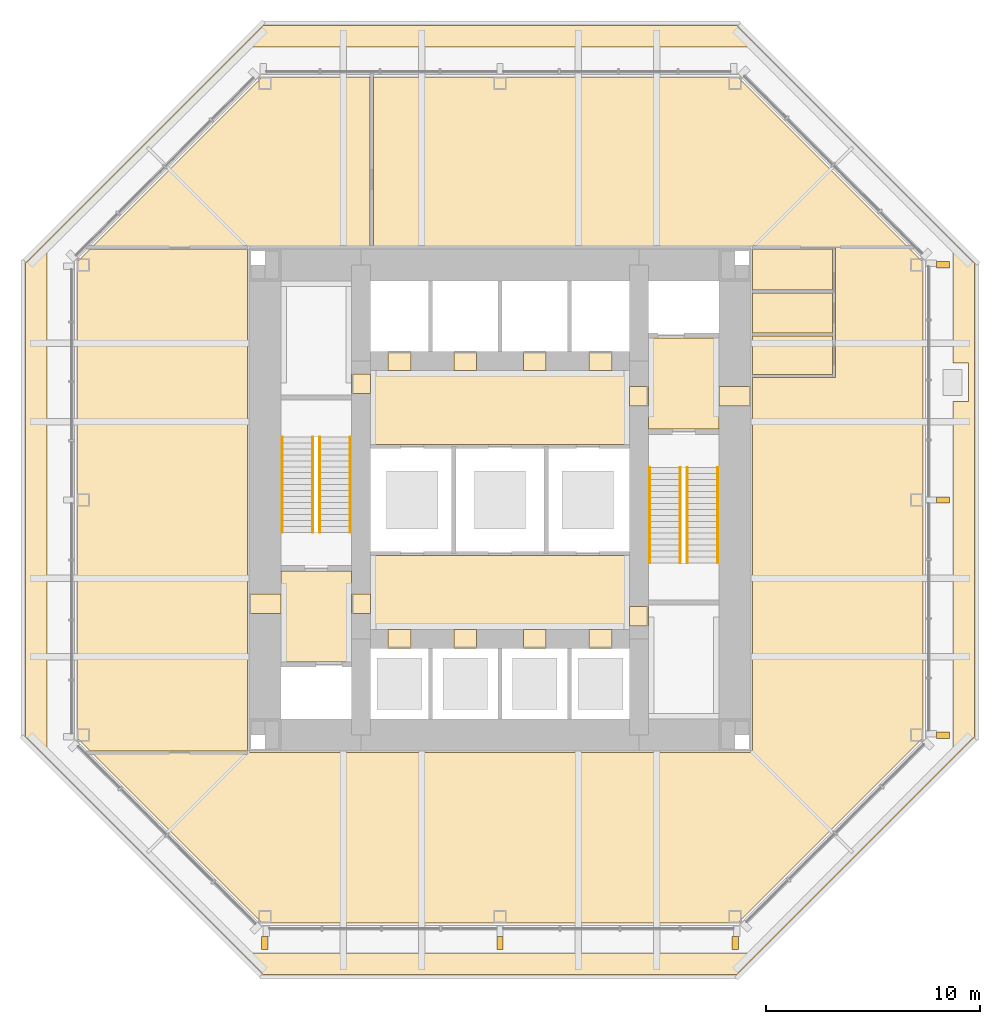
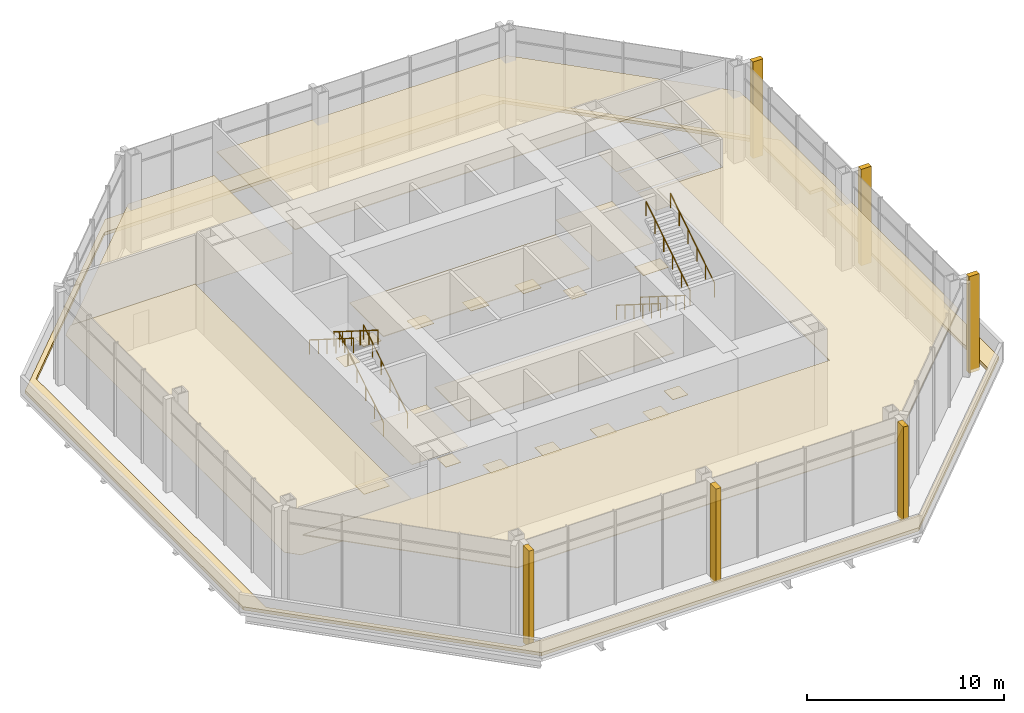
# One storey, part 9 of 10: 32 coverings, 8 railings.
"""IFC4 building model written with IfcOpenShell, lengths in metres."""

from ifc_helpers import new_model, si_unit, direction, frame, origin, origin_2d, place, context, subcontext, project, spatial, polyline, rectangle, circle, outline, extrude, material, layer, layer_set, type_object, element, save


model = new_model("IFC4")

# Units and contexts
model_context = context("Model", 3, precision=1e-05, world=origin(), true_north=direction((0.0, 1.0)))
body_context = subcontext(model_context, "Body", "Model", "MODEL_VIEW")
ifc_project = project(units=[si_unit("LENGTHUNIT", "METRE"), si_unit("AREAUNIT", "SQUARE_METRE"), si_unit("VOLUMEUNIT", "CUBIC_METRE"), si_unit("PLANEANGLEUNIT", "RADIAN"), si_unit("MASSUNIT", "GRAM", prefix="KILO")], contexts=[model_context])

# Site, building, storey
site_placement = place(None, origin())
site = spatial("IfcSite", under=ifc_project, at=site_placement, CompositionType="ELEMENT")
building_placement = place(site_placement, origin())
building = spatial("IfcBuilding", under=site, at=building_placement, Name="Trevanion Tower", CompositionType="ELEMENT")
storey_placement = place(building_placement, frame((0.0, 0.0, 184.699951171875)))
storey = spatial("IfcBuildingStorey", under=building, at=storey_placement, Name="L43", CompositionType="ELEMENT", Elevation=184.699951171875)

# Coverings
ifc_material_1 = material(Name="Fibrous plaster coffers on suspended steel grid", Category="steel")
ifc_layer_1 = layer(ifc_material_1, 0.050048828125)
ifc_layer_set_1 = layer_set([ifc_layer_1], Name="CL1 coffered fibrous plaster ceiling 50")
covering_type_1 = type_object("IfcCoveringType", Name="CL1 coffered fibrous plaster ceiling 50", PredefinedType="CEILING", material=ifc_layer_set_1)
covering_1_placement = place(storey_placement, frame((0.0, 0.0, 3.0)))
element("IfcCovering", 1, at=covering_1_placement, inside=storey, type_object=covering_type_1, Name="CL1 L43-LBN", PredefinedType="CEILING", context=body_context, shape_type="SweptSolid", body=[
    extrude(outline(polyline([(6.050048828125, 2.60009765625), (6.050048828125, 6.050048828125), (-6.050048828125, 6.050048828125), (-6.050048828125, 2.60009765625), (6.050048828125, 2.60009765625)])), origin(), (0.0, 0.0, 1.0), 0.050048828125),
])
covering_2_placement = place(storey_placement, frame((0.0, 0.0, 3.0)))
element("IfcCovering", 2, at=covering_2_placement, inside=storey, type_object=covering_type_1, Name="CL1 L43-LBS", PredefinedType="CEILING", context=body_context, shape_type="SweptSolid", body=[
    extrude(outline(polyline([(6.050048828125, -6.050048828125), (6.050048828125, -2.60009765625), (-6.050048828125, -2.60009765625), (-6.050048828125, -6.050048828125), (6.050048828125, -6.050048828125)])), origin(), (0.0, 0.0, 1.0), 0.050048828125),
])
covering_3_placement = place(storey_placement, frame((0.0, 0.0, 4.0)))
element("IfcCovering", 3, at=covering_3_placement, inside=storey, type_object=covering_type_1, Name="CL1 L43-SK", PredefinedType="CEILING", context=body_context, shape_type="SweptSolid", body=[
    extrude(outline(polyline([(11.824951171875, 5.72509765625), (15.699951171875, 5.72509765625), (15.699951171875, 11.824951171875), (19.099365234375, 11.824951171875), (19.800048828125, 11.124267578125), (19.800048828125, -11.124267578125), (11.124267578125, -19.800048828125), (-11.124267578125, -19.800048828125), (-19.099365234375, -11.824951171875), (11.824951171875, -11.824951171875), (11.824951171875, 5.72509765625)])), origin(), (0.0, 0.0, 1.0), 0.050048828125),
])
covering_4_placement = place(storey_placement, frame((0.0, 0.0, 4.0)))
element("IfcCovering", 4, at=covering_4_placement, inside=storey, type_object=covering_type_1, Name="CL1 L43-RS", PredefinedType="CEILING", context=body_context, shape_type="SweptSolid", body=[
    extrude(outline(polyline([(11.124267578125, 19.800048828125), (19.099365234375, 11.824951171875), (-5.925048828125, 11.824951171875), (-5.925048828125, 19.800048828125), (11.124267578125, 19.800048828125)])), origin(), (0.0, 0.0, 1.0), 0.050048828125),
])
ifc_material_2 = material(Name="Mineral fibre acoustic tiles in exposed grid", Category="mineral fibre")
ifc_layer_2 = layer(ifc_material_2, 0.02001953125)
ifc_layer_set_2 = layer_set([ifc_layer_2], Name="CL2 acoustic tile ceiling 20")
covering_type_2 = type_object("IfcCoveringType", Name="CL2 acoustic tile ceiling 20", PredefinedType="CEILING", material=ifc_layer_set_2)
covering_5_placement = place(storey_placement, frame((0.0, 0.0, 2.75)))
element("IfcCovering", 5, at=covering_5_placement, inside=storey, type_object=covering_type_2, Name="CL2 L43-HO", PredefinedType="CEILING", context=body_context, shape_type="SweptSolid", body=[
    extrude(outline(polyline([(-19.800048828125, -11.124267578125), (-19.800048828125, 11.124267578125), (-19.17431640625, 11.75), (-11.824951171875, 11.75), (-11.824951171875, -11.75), (-19.17431640625, -11.75), (-19.800048828125, -11.124267578125)])), origin(), (0.0, 0.0, 1.0), 0.02001953125),
])
ifc_material_3 = material(Name="Gypsum plasterboard on suspended metal furring", Category="gypsum")
ifc_layer_3 = layer(ifc_material_3, 0.012939453125)
ifc_layer_set_3 = layer_set([ifc_layer_3], Name="CL3 plasterboard ceiling 13")
covering_type_3 = type_object("IfcCoveringType", Name="CL3 plasterboard ceiling 13", PredefinedType="CEILING", material=ifc_layer_set_3)
covering_6_placement = place(storey_placement, frame((0.0, 0.0, 2.699951171875)))
element("IfcCovering", 6, at=covering_6_placement, inside=storey, type_object=covering_type_3, Name="CL3 L43-FV1", PredefinedType="CEILING", context=body_context, shape_type="SweptSolid", body=[
    extrude(outline(polyline([(10.25, 3.324951171875), (10.25, 7.574951171875), (6.949951171875, 7.574951171875), (6.949951171875, 3.324951171875), (10.25, 3.324951171875)])), origin(), (0.0, 0.0, 1.0), 0.01318359375),
])
covering_7_placement = place(storey_placement, frame((0.0, 0.0, 2.699951171875)))
element("IfcCovering", 7, at=covering_7_placement, inside=storey, type_object=covering_type_3, Name="CL3 L43-FV2", PredefinedType="CEILING", context=body_context, shape_type="SweptSolid", body=[
    extrude(outline(polyline([(-10.25, -3.324951171875), (-10.25, -7.574951171875), (-6.949951171875, -7.574951171875), (-6.949951171875, -3.324951171875), (-10.25, -3.324951171875)])), origin(), (0.0, 0.0, 1.0), 0.01318359375),
])
ifc_material_4 = material(Name="Moisture-resistant gypsum board on suspended metal furring", Category="gypsum")
ifc_layer_4 = layer(ifc_material_4, 0.01611328125)
ifc_layer_set_4 = layer_set([ifc_layer_4], Name="CL4 moisture-resistant board ceiling 16")
covering_type_4 = type_object("IfcCoveringType", Name="CL4 moisture-resistant board ceiling 16", PredefinedType="CEILING", material=ifc_layer_set_4)
covering_8_placement = place(storey_placement, frame((0.0, 0.0, 2.60009765625)))
element("IfcCovering", 8, at=covering_8_placement, inside=storey, type_object=covering_type_4, Name="CL4 L43-GTM", PredefinedType="CEILING", context=body_context, shape_type="SweptSolid", body=[
    extrude(outline(polyline([(15.550048828125, 5.875), (15.550048828125, 7.675048828125), (11.824951171875, 7.675048828125), (11.824951171875, 5.875), (15.550048828125, 5.875)])), origin(), (0.0, 0.0, 1.0), 0.015869140625),
])
covering_9_placement = place(storey_placement, frame((0.0, 0.0, 2.60009765625)))
element("IfcCovering", 9, at=covering_9_placement, inside=storey, type_object=covering_type_4, Name="CL4 L43-GTF", PredefinedType="CEILING", context=body_context, shape_type="SweptSolid", body=[
    extrude(outline(polyline([(15.550048828125, 7.824951171875), (15.550048828125, 9.675048828125), (11.824951171875, 9.675048828125), (11.824951171875, 7.824951171875), (15.550048828125, 7.824951171875)])), origin(), (0.0, 0.0, 1.0), 0.015869140625),
])
covering_10_placement = place(storey_placement, frame((0.0, 0.0, 2.60009765625)))
element("IfcCovering", 10, at=covering_10_placement, inside=storey, type_object=covering_type_4, Name="CL4 L43-GTA", PredefinedType="CEILING", context=body_context, shape_type="SweptSolid", body=[
    extrude(outline(polyline([(15.550048828125, 9.824951171875), (15.550048828125, 11.75), (11.824951171875, 11.75), (11.824951171875, 9.824951171875), (15.550048828125, 9.824951171875)])), origin(), (0.0, 0.0, 1.0), 0.015869140625),
])
covering_11_placement = place(storey_placement, frame((0.0, 0.0, 2.60009765625)))
element("IfcCovering", 11, at=covering_11_placement, inside=storey, type_object=covering_type_4, Name="CL4 L43-KT", PredefinedType="CEILING", context=body_context, shape_type="SweptSolid", body=[
    extrude(outline(polyline([(-6.074951171875, 19.800048828125), (-6.074951171875, 11.824951171875), (-19.099365234375, 11.824951171875), (-11.124267578125, 19.800048828125), (-6.074951171875, 19.800048828125)])), origin(), (0.0, 0.0, 1.0), 0.015869140625),
])
ifc_material_5 = material(Name="Cast bronze fin on aluminium carrier", Category="aluminium")
covering_type_5 = type_object("IfcCoveringType", Name="F1 bronze fin", PredefinedType="CLADDING", material=ifc_material_5)
for number, where, z_axis, x_axis, name in (
    (12, (20.72509765625, -11.0, -0.18994140625), (0.0, 0.0, 1.0), (0.0, 1.0, 0.0), "F1 L43 east -11.0"),
    (13, (20.72509765625, 0.0, -0.18994140625), (0.0, 0.0, 1.0), (0.0, 1.0, 0.0), "F1 L43 east +0.0"),
    (14, (20.72509765625, 11.0, -0.18994140625), (0.0, 0.0, 1.0), (0.0, 1.0, 0.0), "F1 L43 east +11.0"),
    (15, (-11.0, -20.72509765625, -0.18994140625), (0.0, 0.0, 1.0), (1.0, 0.0, 0.0), "F1 L43 south -11.0"),
    (16, (0.0, -20.72509765625, -0.18994140625), (0.0, 0.0, 1.0), (1.0, 0.0, 0.0), "F1 L43 south +0.0"),
    (17, (11.0, -20.72509765625, -0.18994140625), (0.0, 0.0, 1.0), (1.0, 0.0, 0.0), "F1 L43 south +11.0"),
):
    element("IfcCovering", number, at=place(storey_placement, frame(where, z_axis=z_axis, x_axis=x_axis)), inside=storey, type_object=covering_type_5, Name=name, PredefinedType="CLADDING", context=body_context, shape_type="SweptSolid", body=[
        extrude(rectangle(XDim=0.300048828125, YDim=0.60009765625, at=origin_2d()), origin(), (0.0, 0.0, 1.0), 6.0),
    ])
ifc_material_6 = material(Name="Terrazzo, brass divider strips", Category="stone")
ifc_layer_5 = layer(ifc_material_6, 0.02001953125)
ifc_layer_set_5 = layer_set([ifc_layer_5], Name="FF1 terrazzo flooring")
covering_type_6 = type_object("IfcCoveringType", Name="FF1 terrazzo flooring", PredefinedType="FLOORING", material=ifc_layer_set_5)
covering_12_placement = place(storey_placement, origin())
element("IfcCovering", 18, at=covering_12_placement, inside=storey, type_object=covering_type_6, Name="FF1 threshold 43-001", PredefinedType="FLOORING", context=body_context, shape_type="SweptSolid", body=[
    extrude(outline(polyline([(11.75, 4.392578125), (11.75, 5.3076171875), (10.25, 5.3076171875), (10.25, 4.392578125), (11.75, 4.392578125)])), origin(), (0.0, 0.0, 1.0), 0.02001953125),
])
covering_13_placement = place(storey_placement, origin())
element("IfcCovering", 19, at=covering_13_placement, inside=storey, type_object=covering_type_6, Name="FF1 threshold 43-002", PredefinedType="FLOORING", context=body_context, shape_type="SweptSolid", body=[
    extrude(outline(polyline([(-11.75, -4.392578125), (-11.75, -5.3076171875), (-10.25, -5.3076171875), (-10.25, -4.392578125), (-11.75, -4.392578125)])), origin(), (0.0, 0.0, 1.0), 0.02001953125),
])
covering_14_placement = place(storey_placement, origin())
element("IfcCovering", 20, at=covering_14_placement, inside=storey, type_object=covering_type_6, Name="FF1 threshold 43-003", PredefinedType="FLOORING", context=body_context, shape_type="SweptSolid", body=[
    extrude(outline(polyline([(6.949951171875, 4.392578125), (6.949951171875, 5.3076171875), (6.050048828125, 5.3076171875), (6.050048828125, 4.392578125), (6.949951171875, 4.392578125)])), origin(), (0.0, 0.0, 1.0), 0.02001953125),
])
covering_15_placement = place(storey_placement, origin())
element("IfcCovering", 21, at=covering_15_placement, inside=storey, type_object=covering_type_6, Name="FF1 threshold 43-004", PredefinedType="FLOORING", context=body_context, shape_type="SweptSolid", body=[
    extrude(outline(polyline([(-6.949951171875, -4.392578125), (-6.949951171875, -5.3076171875), (-6.050048828125, -5.3076171875), (-6.050048828125, -4.392578125), (-6.949951171875, -4.392578125)])), origin(), (0.0, 0.0, 1.0), 0.02001953125),
])
covering_16_placement = place(storey_placement, origin())
element("IfcCovering", 22, at=covering_16_placement, inside=storey, type_object=covering_type_6, Name="FF1 threshold 43-009", PredefinedType="FLOORING", context=body_context, shape_type="SweptSolid", body=[
    extrude(outline(polyline([(6.949951171875, -5.889892578125), (6.949951171875, -4.97509765625), (6.050048828125, -4.97509765625), (6.050048828125, -5.889892578125), (6.949951171875, -5.889892578125)])), origin(), (0.0, 0.0, 1.0), 0.02001953125),
])
covering_17_placement = place(storey_placement, origin())
element("IfcCovering", 23, at=covering_17_placement, inside=storey, type_object=covering_type_6, Name="FF1 threshold 43-010", PredefinedType="FLOORING", context=body_context, shape_type="SweptSolid", body=[
    extrude(outline(polyline([(-6.949951171875, 5.889892578125), (-6.949951171875, 4.97509765625), (-6.050048828125, 4.97509765625), (-6.050048828125, 5.889892578125), (-6.949951171875, 5.889892578125)])), origin(), (0.0, 0.0, 1.0), 0.02001953125),
])
covering_18_placement = place(storey_placement, origin())
element("IfcCovering", 24, at=covering_18_placement, inside=storey, type_object=covering_type_6, Name="FF1 threshold 43-011", PredefinedType="FLOORING", context=body_context, shape_type="SweptSolid", body=[
    extrude(outline(polyline([(-4.16650390625, 6.949951171875), (-5.2333984375, 6.949951171875), (-5.2333984375, 6.050048828125), (-4.16650390625, 6.050048828125), (-4.16650390625, 6.949951171875)])), origin(), (0.0, 0.0, 1.0), 0.02001953125),
])
covering_19_placement = place(storey_placement, origin())
element("IfcCovering", 25, at=covering_19_placement, inside=storey, type_object=covering_type_6, Name="FF1 threshold 43-012", PredefinedType="FLOORING", context=body_context, shape_type="SweptSolid", body=[
    extrude(outline(polyline([(-1.091552734375, 6.949951171875), (-2.158447265625, 6.949951171875), (-2.158447265625, 6.050048828125), (-1.091552734375, 6.050048828125), (-1.091552734375, 6.949951171875)])), origin(), (0.0, 0.0, 1.0), 0.02001953125),
])
covering_20_placement = place(storey_placement, origin())
element("IfcCovering", 26, at=covering_20_placement, inside=storey, type_object=covering_type_6, Name="FF1 threshold 43-013", PredefinedType="FLOORING", context=body_context, shape_type="SweptSolid", body=[
    extrude(outline(polyline([(2.158447265625, 6.949951171875), (1.091552734375, 6.949951171875), (1.091552734375, 6.050048828125), (2.158447265625, 6.050048828125), (2.158447265625, 6.949951171875)])), origin(), (0.0, 0.0, 1.0), 0.02001953125),
])
covering_21_placement = place(storey_placement, origin())
element("IfcCovering", 27, at=covering_21_placement, inside=storey, type_object=covering_type_6, Name="FF1 threshold 43-014", PredefinedType="FLOORING", context=body_context, shape_type="SweptSolid", body=[
    extrude(outline(polyline([(5.2333984375, 6.949951171875), (4.16650390625, 6.949951171875), (4.16650390625, 6.050048828125), (5.2333984375, 6.050048828125), (5.2333984375, 6.949951171875)])), origin(), (0.0, 0.0, 1.0), 0.02001953125),
])
covering_22_placement = place(storey_placement, origin())
element("IfcCovering", 28, at=covering_22_placement, inside=storey, type_object=covering_type_6, Name="FF1 threshold 43-015", PredefinedType="FLOORING", context=body_context, shape_type="SweptSolid", body=[
    extrude(outline(polyline([(-5.2333984375, -6.949951171875), (-4.16650390625, -6.949951171875), (-4.16650390625, -6.050048828125), (-5.2333984375, -6.050048828125), (-5.2333984375, -6.949951171875)])), origin(), (0.0, 0.0, 1.0), 0.02001953125),
])
covering_23_placement = place(storey_placement, origin())
element("IfcCovering", 29, at=covering_23_placement, inside=storey, type_object=covering_type_6, Name="FF1 threshold 43-016", PredefinedType="FLOORING", context=body_context, shape_type="SweptSolid", body=[
    extrude(outline(polyline([(-2.158447265625, -6.949951171875), (-1.091552734375, -6.949951171875), (-1.091552734375, -6.050048828125), (-2.158447265625, -6.050048828125), (-2.158447265625, -6.949951171875)])), origin(), (0.0, 0.0, 1.0), 0.02001953125),
])
covering_24_placement = place(storey_placement, origin())
element("IfcCovering", 30, at=covering_24_placement, inside=storey, type_object=covering_type_6, Name="FF1 threshold 43-017", PredefinedType="FLOORING", context=body_context, shape_type="SweptSolid", body=[
    extrude(outline(polyline([(1.091552734375, -6.949951171875), (2.158447265625, -6.949951171875), (2.158447265625, -6.050048828125), (1.091552734375, -6.050048828125), (1.091552734375, -6.949951171875)])), origin(), (0.0, 0.0, 1.0), 0.02001953125),
])
covering_25_placement = place(storey_placement, origin())
element("IfcCovering", 31, at=covering_25_placement, inside=storey, type_object=covering_type_6, Name="FF1 threshold 43-018", PredefinedType="FLOORING", context=body_context, shape_type="SweptSolid", body=[
    extrude(outline(polyline([(4.16650390625, -6.949951171875), (5.2333984375, -6.949951171875), (5.2333984375, -6.050048828125), (4.16650390625, -6.050048828125), (4.16650390625, -6.949951171875)])), origin(), (0.0, 0.0, 1.0), 0.02001953125),
])

# Railings
ifc_material_7 = material(Name="Stainless steel tube 40 mm", Category="steel")
railing_type = type_object("IfcRailingType", Name="HR1 handrail", PredefinedType="HANDRAIL", material=ifc_material_7)
for number, where, name in (
    (32, (7.010009765625, 1.52490234375, 0.176513671875), "HR1 ST1 L43 flight 1"),
    (33, (8.43994140625, 1.52490234375, 0.176513671875), "HR1 ST1 L43 flight 1"),
):
    element("IfcRailing", number, at=place(storey_placement, frame(where)), inside=storey, type_object=railing_type, Name=name, PredefinedType="HANDRAIL", context=body_context, shape_type="SweptSolid", body=[
        extrude(circle(Radius=0.02001953125, at=origin_2d()), frame((0.0, 0.0, 0.8798828125), z_axis=(0.0, -0.845997938375, 0.533186166611), x_axis=(1.0, 0.0, 0.0)), (0.0, 0.0, 1.0), 5.29541015625),
        extrude(circle(Radius=0.01513671875, at=origin_2d()), origin(), (0.0, 0.0, 1.0), 0.85986328125),
        extrude(circle(Radius=0.01513671875, at=origin_2d()), frame((0.0, -0.89599609375, 0.564697265625)), (0.0, 0.0, 1.0), 0.85986328125),
        extrude(circle(Radius=0.01513671875, at=origin_2d()), frame((0.0, -1.7919921875, 1.12939453125)), (0.0, 0.0, 1.0), 0.85986328125),
        extrude(circle(Radius=0.01513671875, at=origin_2d()), frame((0.0, -2.68798828125, 1.694091796875)), (0.0, 0.0, 1.0), 0.85986328125),
        extrude(circle(Radius=0.01513671875, at=origin_2d()), frame((0.0, -3.583984375, 2.2587890625)), (0.0, 0.0, 1.0), 0.85986328125),
        extrude(circle(Radius=0.01513671875, at=origin_2d()), frame((0.0, -4.47998046875, 2.823486328125)), (0.0, 0.0, 1.0), 0.85986328125),
    ])
for number, where, name in (
    (34, (8.760009765625, -2.955078125, 3.176513671875), "HR1 ST1 L43 flight 2"),
    (35, (10.18994140625, -2.955078125, 3.176513671875), "HR1 ST1 L43 flight 2"),
    (36, (-7.010009765625, -1.52490234375, 0.176513671875), "HR1 ST2 L43 flight 1"),
    (37, (-8.43994140625, -1.52490234375, 0.176513671875), "HR1 ST2 L43 flight 1"),
):
    element("IfcRailing", number, at=place(storey_placement, frame(where)), inside=storey, type_object=railing_type, Name=name, PredefinedType="HANDRAIL", context=body_context, shape_type="SweptSolid", body=[
        extrude(circle(Radius=0.02001953125, at=origin_2d()), frame((0.0, 0.0, 0.8798828125), z_axis=(0.0, 0.845997938375, 0.533186166611), x_axis=(-1.0, 0.0, 0.0)), (0.0, 0.0, 1.0), 5.29541015625),
        extrude(circle(Radius=0.01513671875, at=origin_2d()), origin(), (0.0, 0.0, 1.0), 0.85986328125),
        extrude(circle(Radius=0.01513671875, at=origin_2d()), frame((0.0, 0.89599609375, 0.564697265625)), (0.0, 0.0, 1.0), 0.85986328125),
        extrude(circle(Radius=0.01513671875, at=origin_2d()), frame((0.0, 1.7919921875, 1.12939453125)), (0.0, 0.0, 1.0), 0.85986328125),
        extrude(circle(Radius=0.01513671875, at=origin_2d()), frame((0.0, 2.68798828125, 1.694091796875)), (0.0, 0.0, 1.0), 0.85986328125),
        extrude(circle(Radius=0.01513671875, at=origin_2d()), frame((0.0, 3.583984375, 2.2587890625)), (0.0, 0.0, 1.0), 0.85986328125),
        extrude(circle(Radius=0.01513671875, at=origin_2d()), frame((0.0, 4.47998046875, 2.823486328125)), (0.0, 0.0, 1.0), 0.85986328125),
    ])
for number, where, name in (
    (38, (-8.760009765625, 2.955078125, 3.176513671875), "HR1 ST2 L43 flight 2"),
    (39, (-10.18994140625, 2.955078125, 3.176513671875), "HR1 ST2 L43 flight 2"),
):
    element("IfcRailing", number, at=place(storey_placement, frame(where)), inside=storey, type_object=railing_type, Name=name, PredefinedType="HANDRAIL", context=body_context, shape_type="SweptSolid", body=[
        extrude(circle(Radius=0.02001953125, at=origin_2d()), frame((0.0, 0.0, 0.8798828125), z_axis=(0.0, -0.845997938375, 0.533186166611), x_axis=(1.0, 0.0, 0.0)), (0.0, 0.0, 1.0), 5.29541015625),
        extrude(circle(Radius=0.01513671875, at=origin_2d()), origin(), (0.0, 0.0, 1.0), 0.85986328125),
        extrude(circle(Radius=0.01513671875, at=origin_2d()), frame((0.0, -0.89599609375, 0.564697265625)), (0.0, 0.0, 1.0), 0.85986328125),
        extrude(circle(Radius=0.01513671875, at=origin_2d()), frame((0.0, -1.7919921875, 1.12939453125)), (0.0, 0.0, 1.0), 0.85986328125),
        extrude(circle(Radius=0.01513671875, at=origin_2d()), frame((0.0, -2.68798828125, 1.694091796875)), (0.0, 0.0, 1.0), 0.85986328125),
        extrude(circle(Radius=0.01513671875, at=origin_2d()), frame((0.0, -3.583984375, 2.2587890625)), (0.0, 0.0, 1.0), 0.85986328125),
        extrude(circle(Radius=0.01513671875, at=origin_2d()), frame((0.0, -4.47998046875, 2.823486328125)), (0.0, 0.0, 1.0), 0.85986328125),
    ])

# Covering
ifc_material_8 = material(Name="Precast concrete pavers on pedestals over membrane and extruded polystyrene insulation", Category="concrete")
ifc_layer_6 = layer(ifc_material_8, 0.199951171875)
ifc_layer_set_6 = layer_set([ifc_layer_6], Name="RF2 paver-ballasted roofing 200")
covering_type_7 = type_object("IfcCoveringType", Name="RF2 paver-ballasted roofing 200", PredefinedType="ROOFING", material=ifc_layer_set_6)
covering_26_placement = place(storey_placement, origin())
element("IfcCovering", 40, at=covering_26_placement, inside=storey, type_object=covering_type_7, Name="RF2 L43 setback roof", PredefinedType="ROOFING", context=body_context, shape_type="SweptSolid", body=[
    extrude(outline(polyline([(-11.082763671875, -22.199951171875), (-22.199951171875, -11.082763671875), (-22.199951171875, 11.082763671875), (-11.082763671875, 22.199951171875), (11.082763671875, 22.199951171875), (22.199951171875, 11.082763671875), (22.199951171875, -11.082763671875), (11.082763671875, -22.199951171875), (-11.082763671875, -22.199951171875)]), holes=[polyline([(11.7041015625, 21.199951171875), (-11.7041015625, 21.199951171875), (-21.199951171875, 11.7041015625), (-21.199951171875, -11.7041015625), (-11.7041015625, -21.199951171875), (11.7041015625, -21.199951171875), (21.199951171875, -11.7041015625), (21.199951171875, 4.60009765625), (21.919921875, 4.60009765625), (21.919921875, 6.39990234375), (21.199951171875, 6.39990234375), (21.199951171875, 11.7041015625), (11.7041015625, 21.199951171875)])]), origin(), (0.0, 0.0, 1.0), 0.199951171875),
])

save(model, "model.ifc")
